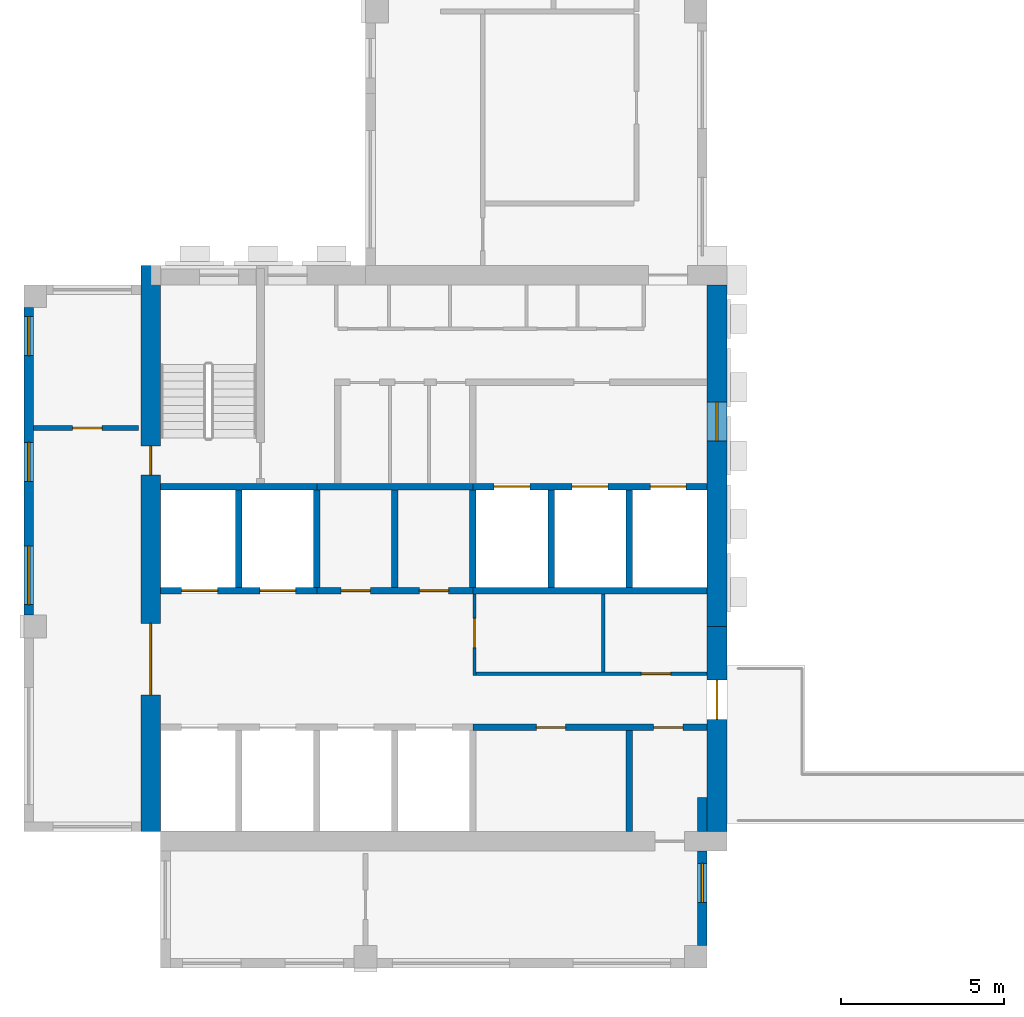
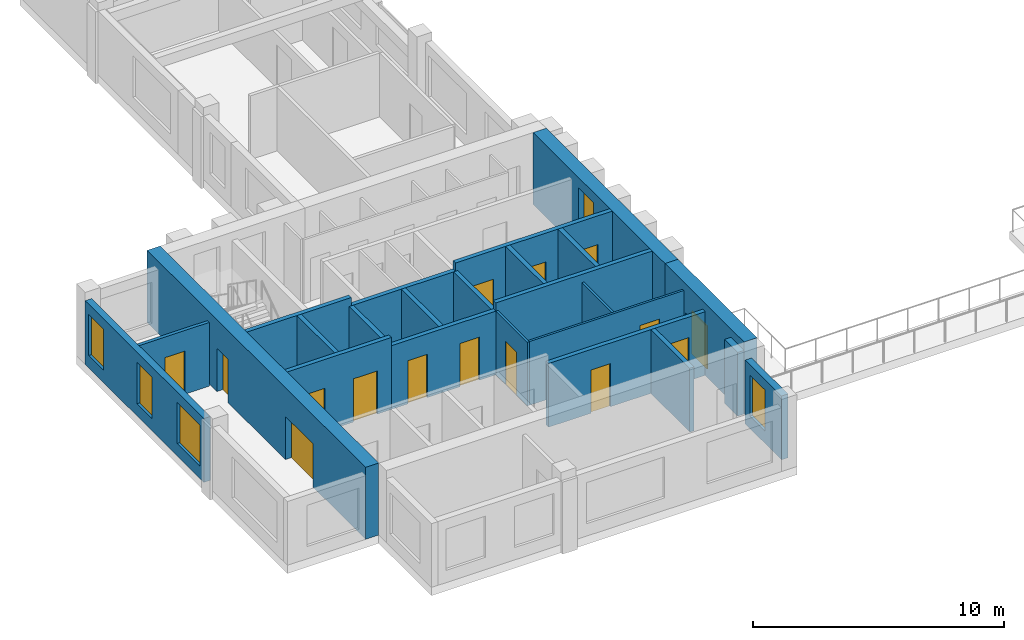
# One storey, part 2 of 9: 24 walls, 15 doors, 5 windows, 20 openings.
"""IFC4 building model written with IfcOpenShell, lengths in metres."""

from ifc_helpers import new_model, si_unit, direction, frame, frame_2d, origin, place, context, subcontext, project, spatial, rectangle, extrude, source, transform, mapped, material, layer, layer_set, type_object, element, fill, save


model = new_model("IFC4")

# Units and contexts
model_context = context("Model", 3, precision=1e-05, world=origin(), true_north=direction((0.0, 1.0)))
body_context = subcontext(model_context, "Body", "Model", "MODEL_VIEW")
ifc_project = project(units=[si_unit("LENGTHUNIT", "METRE"), si_unit("AREAUNIT", "SQUARE_METRE"), si_unit("VOLUMEUNIT", "CUBIC_METRE"), si_unit("PLANEANGLEUNIT", "RADIAN"), si_unit("MASSUNIT", "GRAM", prefix="KILO")], contexts=[model_context])

# Site, building, storey
site_placement = place(None, origin())
site = spatial("IfcSite", under=ifc_project, at=site_placement, CompositionType="ELEMENT")
building_placement = place(site_placement, origin())
building = spatial("IfcBuilding", under=site, at=building_placement, Name="Aurelian Terraces", CompositionType="ELEMENT")
storey_placement = place(building_placement, frame((0.0, 0.0, 295.0)))
storey = spatial("IfcBuildingStorey", under=building, at=storey_placement, Name="L67", CompositionType="ELEMENT", Elevation=295.0)

# Wall, opening, door
ifc_material_1 = material(Name="Gypsum board on steel studs", Category="steel")
ifc_layer_1 = layer(ifc_material_1, 0.1)
ifc_layer_set_1 = layer_set([ifc_layer_1], Name="Core partition 100")
wall_type_1 = type_object("IfcWallType", Name="Core partition 100", PredefinedType="PARTITIONING", material=ifc_layer_set_1)
wall_1_placement = place(storey_placement, frame((13.8, 9.05, 0.0), z_axis=(0.0, 0.0, 1.0), x_axis=(1.0, 0.0, 0.0)))
wall_1 = element("IfcWall", 1, at=wall_1_placement, inside=storey, type_object=wall_type_1, Name="L67 core wall SV-ES", PredefinedType="PARTITIONING", context=body_context, shape_type="SweptSolid", body=[
    extrude(rectangle(XDim=7.2, YDim=0.1, at=frame_2d((3.6, 0.0))), origin(), (0.0, 0.0, 1.0), 3.1),
])
shared_shape_1 = source(origin(), body_context, "Body", "SweptSolid", [
    extrude(rectangle(XDim=0.9, YDim=2.1, at=frame_2d((0.45, 1.05))), frame((0.0, 0.06, 0.0), z_axis=(0.0, -1.0, 0.0), x_axis=(1.0, 0.0, 0.0)), (0.0, 0.0, 1.0), 0.12),
])
opening_1_placement = place(wall_1_placement, frame((5.1775, 0.0, 0.0)))
opening_1 = element("IfcOpeningElement", 2, at=opening_1_placement, cuts=wall_1, Name="Opening 67023", PredefinedType="OPENING", context=body_context, shape_type="MappedRepresentation", body=[
    mapped(shared_shape_1, transform((0.0, 0.0, 0.0), scale=1.0)),
])
ifc_material_2 = material(Name="Steel door leaf", Category="steel")
door_type_1 = type_object("IfcDoorType", Name="Core service door 900x2100 right", OperationType="SINGLE_SWING_RIGHT", PredefinedType="DOOR", material=ifc_material_2)
shared_shape_2 = source(origin(), body_context, "Body", "SweptSolid", [
    extrude(rectangle(XDim=0.9, YDim=2.1, at=frame_2d((0.45, 1.05))), frame((0.0, 0.025, 0.0), z_axis=(0.0, -1.0, 0.0), x_axis=(1.0, 0.0, 0.0)), (0.0, 0.0, 1.0), 0.05),
])
door_1_placement = place(opening_1_placement, origin())
door_1 = element("IfcDoor", 3, at=door_1_placement, inside=storey, type_object=door_type_1, Name="Room door 67023", OperationType="SINGLE_SWING_RIGHT", OverallHeight=2.1, OverallWidth=0.9, PredefinedType="DOOR", context=body_context, shape_type="MappedRepresentation", body=[
    mapped(shared_shape_2, transform((0.0, 0.0, 0.0), scale=1.0)),
])
fill(opening_1, door_1)

# Wall, openings, doors
ifc_material_3 = material(Name="Concrete fc' 55 MPa", Category="concrete")
ifc_layer_2 = layer(ifc_material_3, 0.6)
ifc_layer_set_2 = layer_set([ifc_layer_2], Name="CORE WALL 600 FC55")
wall_type_2 = type_object("IfcWallType", Name="CORE WALL 600 FC55", PredefinedType="SHEAR", material=ifc_layer_set_2)
shared_shape_3 = source(origin(), body_context, "Body", "SweptSolid", [
    extrude(rectangle(XDim=17.4, YDim=0.6, at=frame_2d((8.7, 0.0))), origin(), (0.0, 0.0, 1.0), 3.5),
])
wall_2_placement = place(storey_placement, frame((3.9, 4.2, 0.0), z_axis=(0.0, 0.0, 1.0), x_axis=(0.0, 1.0, 0.0)))
wall_2 = element("IfcWall", 4, at=wall_2_placement, inside=storey, type_object=wall_type_2, Name="Core wall W L67", PredefinedType="SHEAR", context=body_context, shape_type="MappedRepresentation", body=[
    mapped(shared_shape_3, transform((0.0, 0.0, 0.0), scale=1.0)),
])
shared_shape_4 = source(origin(), body_context, "Body", "SweptSolid", [
    extrude(rectangle(XDim=2.2, YDim=2.1, at=frame_2d((1.1, 1.05))), frame((0.0, 0.31, 0.0), z_axis=(0.0, -1.0, 0.0), x_axis=(1.0, 0.0, 0.0)), (0.0, 0.0, 1.0), 0.62),
])
opening_2_placement = place(wall_2_placement, frame((4.2, 0.0, 0.0)))
opening_2 = element("IfcOpeningElement", 5, at=opening_2_placement, cuts=wall_2, Name="Opening 67031", PredefinedType="OPENING", context=body_context, shape_type="MappedRepresentation", body=[
    mapped(shared_shape_4, transform((0.0, 0.0, 0.0), scale=1.0)),
])
shared_shape_5 = source(origin(), body_context, "Body", "SweptSolid", [
    extrude(rectangle(XDim=0.9, YDim=2.1, at=frame_2d((0.45, 1.05))), frame((0.0, 0.31, 0.0), z_axis=(0.0, -1.0, 0.0), x_axis=(1.0, 0.0, 0.0)), (0.0, 0.0, 1.0), 0.62),
])
opening_3_placement = place(wall_2_placement, frame((10.95, 0.0, 0.0)))
opening_3 = element("IfcOpeningElement", 6, at=opening_3_placement, cuts=wall_2, Name="Opening 67035", PredefinedType="OPENING", context=body_context, shape_type="MappedRepresentation", body=[
    mapped(shared_shape_5, transform((0.0, 0.0, 0.0), scale=1.0)),
])
door_type_2 = type_object("IfcDoorType", Name="Core service door 900x2100", OperationType="SINGLE_SWING_LEFT", PredefinedType="DOOR", material=ifc_material_2)
door_2_placement = place(opening_3_placement, origin())
door_2 = element("IfcDoor", 7, at=door_2_placement, inside=storey, type_object=door_type_2, Name="Core door 67035", OperationType="SINGLE_SWING_LEFT", OverallHeight=2.1, OverallWidth=0.9, PredefinedType="DOOR", context=body_context, shape_type="MappedRepresentation", body=[
    mapped(shared_shape_2, transform((0.0, 0.0, 0.0), scale=1.0)),
])
fill(opening_3, door_2)
door_type_3 = type_object("IfcDoorType", Name="Core double door 2200x2100", OperationType="DOUBLE_DOOR_SINGLE_SWING", PredefinedType="DOOR", material=ifc_material_2)
shared_shape_6 = source(origin(), body_context, "Body", "SweptSolid", [
    extrude(rectangle(XDim=2.2, YDim=2.1, at=frame_2d((1.1, 1.05))), frame((0.0, 0.025, 0.0), z_axis=(0.0, -1.0, 0.0), x_axis=(1.0, 0.0, 0.0)), (0.0, 0.0, 1.0), 0.05),
])
door_3_placement = place(opening_2_placement, origin())
door_3 = element("IfcDoor", 8, at=door_3_placement, inside=storey, type_object=door_type_3, Name="Core door 67031", OperationType="DOUBLE_DOOR_SINGLE_SWING", OverallHeight=2.1, OverallWidth=2.2, PredefinedType="DOOR", context=body_context, shape_type="MappedRepresentation", body=[
    mapped(shared_shape_6, transform((0.0, 0.0, 0.0), scale=1.0)),
])
fill(opening_2, door_3)

# Wall, opening, door
shared_shape_7 = source(origin(), body_context, "Body", "SweptSolid", [
    extrude(rectangle(XDim=6.3, YDim=0.6, at=frame_2d((3.15, 0.0))), origin(), (0.0, 0.0, 1.0), 3.5),
])
wall_3_placement = place(storey_placement, frame((21.3, 4.2, 0.0), z_axis=(0.0, 0.0, 1.0), x_axis=(0.0, 1.0, 0.0)))
wall_3 = element("IfcWall", 9, at=wall_3_placement, inside=storey, type_object=wall_type_2, Name="Core wall E L67", PredefinedType="SHEAR", context=body_context, shape_type="MappedRepresentation", body=[
    mapped(shared_shape_7, transform((0.0, 0.0, 0.0), scale=1.0)),
])
shared_shape_8 = source(origin(), body_context, "Body", "SweptSolid", [
    extrude(rectangle(XDim=1.2, YDim=2.1, at=frame_2d((0.6, 1.05))), frame((0.0, 0.31, 0.0), z_axis=(0.0, -1.0, 0.0), x_axis=(1.0, 0.0, 0.0)), (0.0, 0.0, 1.0), 0.62),
])
opening_4_placement = place(wall_3_placement, frame((3.45, 0.0, 0.0)))
opening_4 = element("IfcOpeningElement", 10, at=opening_4_placement, cuts=wall_3, Name="Opening 67033", PredefinedType="OPENING", context=body_context, shape_type="MappedRepresentation", body=[
    mapped(shared_shape_8, transform((0.0, 0.0, 0.0), scale=1.0)),
])
door_type_4 = type_object("IfcDoorType", Name="Core fire door 1200x2100", OperationType="SINGLE_SWING_LEFT", PredefinedType="DOOR", material=ifc_material_2)
shared_shape_9 = source(origin(), body_context, "Body", "SweptSolid", [
    extrude(rectangle(XDim=1.2, YDim=2.1, at=frame_2d((0.6, 1.05))), frame((0.0, 0.025, 0.0), z_axis=(0.0, -1.0, 0.0), x_axis=(1.0, 0.0, 0.0)), (0.0, 0.0, 1.0), 0.05),
])
door_4_placement = place(opening_4_placement, origin())
door_4 = element("IfcDoor", 11, at=door_4_placement, inside=storey, type_object=door_type_4, Name="Core door 67033", OperationType="SINGLE_SWING_LEFT", OverallHeight=2.1, OverallWidth=1.2, PredefinedType="DOOR", context=body_context, shape_type="MappedRepresentation", body=[
    mapped(shared_shape_9, transform((0.0, 0.0, 0.0), scale=1.0)),
])
fill(opening_4, door_4)

# Wall, opening, window
shared_shape_10 = source(origin(), body_context, "Body", "SweptSolid", [
    extrude(rectangle(XDim=10.5, YDim=0.6, at=frame_2d((5.25, 0.0))), origin(), (0.0, 0.0, 1.0), 3.5),
])
wall_4_placement = place(storey_placement, frame((21.3, 10.5, 0.0), z_axis=(0.0, 0.0, 1.0), x_axis=(0.0, 1.0, 0.0)))
wall_4 = element("IfcWall", 12, at=wall_4_placement, inside=storey, type_object=wall_type_2, Name="Core wall E L67 exposed", PredefinedType="SHEAR", context=body_context, shape_type="MappedRepresentation", body=[
    mapped(shared_shape_10, transform((0.0, 0.0, 0.0), scale=1.0)),
])
shared_shape_11 = source(origin(), body_context, "Body", "SweptSolid", [
    extrude(rectangle(XDim=1.2, YDim=2.4, at=frame_2d((0.6, 1.2))), frame((0.0, 0.31, 0.0), z_axis=(0.0, -1.0, 0.0), x_axis=(1.0, 0.0, 0.0)), (0.0, 0.0, 1.0), 0.62),
])
opening_5_placement = place(wall_4_placement, frame((5.7, 0.0, 0.6)))
opening_5 = element("IfcOpeningElement", 13, at=opening_5_placement, cuts=wall_4, Name="Opening W-CL", PredefinedType="OPENING", context=body_context, shape_type="MappedRepresentation", body=[
    mapped(shared_shape_11, transform((0.0, 0.0, 0.0), scale=1.0)),
])
ifc_material_4 = material(Name="Fire-resisting glazing", Category="glass")
window_type_1 = type_object("IfcWindowType", Name="Core lobby window 1200x2400", PartitioningType="SINGLE_PANEL", PredefinedType="WINDOW", material=ifc_material_4)
shared_shape_12 = source(origin(), body_context, "Body", "SweptSolid", [
    extrude(rectangle(XDim=1.2, YDim=2.4, at=frame_2d((0.6, 1.2))), frame((0.0, 0.03, 0.0), z_axis=(0.0, -1.0, 0.0), x_axis=(1.0, 0.0, 0.0)), (0.0, 0.0, 1.0), 0.06),
])
window_1_placement = place(opening_5_placement, origin())
window_1 = element("IfcWindow", 14, at=window_1_placement, inside=storey, type_object=window_type_1, Name="Lobby window L67 E10", OverallHeight=2.4, OverallWidth=1.2, PartitioningType="SINGLE_PANEL", PredefinedType="WINDOW", context=body_context, shape_type="MappedRepresentation", body=[
    mapped(shared_shape_12, transform((0.0, 0.0, 0.0), scale=1.0)),
])
fill(opening_5, window_1)

ifc_material_5 = material(Name="Terracotta rainscreen cladding", Category="masonry")
ifc_layer_3 = layer(ifc_material_5, 0.3)
ifc_layer_set_3 = layer_set([ifc_layer_3], Name="EW-300")
wall_type_3 = type_object("IfcWallType", Name="EW-300", PredefinedType="STANDARD", material=ifc_layer_set_3)
shared_shape_13 = source(origin(), body_context, "Body", "SweptSolid", [
    extrude(rectangle(XDim=2.9, YDim=0.3, at=frame_2d((1.45, 0.0))), origin(), (0.0, 0.0, 1.0), 3.1),
])
wall_5_placement = place(storey_placement, frame((20.85, 0.7, 0.0), z_axis=(0.0, 0.0, 1.0), x_axis=(0.0, 1.0, 0.0)))
wall_5 = element("IfcWall", 15, at=wall_5_placement, inside=storey, type_object=wall_type_3, Name="External wall L67 F02.3", PredefinedType="STANDARD", context=body_context, shape_type="MappedRepresentation", body=[
    mapped(shared_shape_13, transform((0.0, 0.0, 0.0), scale=1.0)),
])
shared_shape_14 = source(origin(), body_context, "Body", "SweptSolid", [
    extrude(rectangle(XDim=1.2, YDim=2.0, at=frame_2d((0.6, 1.0))), frame((0.0, 0.16, 0.0), z_axis=(0.0, -1.0, 0.0), x_axis=(1.0, 0.0, 0.0)), (0.0, 0.0, 1.0), 0.32),
])
opening_6_placement = place(wall_5_placement, frame((1.325, 0.0, 0.6)))
opening_6 = element("IfcOpeningElement", 16, at=opening_6_placement, cuts=wall_5, Name="Opening W1220", PredefinedType="OPENING", context=body_context, shape_type="MappedRepresentation", body=[
    mapped(shared_shape_14, transform((0.0, 0.0, 0.0), scale=1.0)),
])
ifc_material_6 = material(Name="Clear glazing", Category="glass")
window_type_2 = type_object("IfcWindowType", Name="W-1200x2000", PartitioningType="SINGLE_PANEL", PredefinedType="WINDOW", material=ifc_material_6)
shared_shape_15 = source(origin(), body_context, "Body", "SweptSolid", [
    extrude(rectangle(XDim=1.2, YDim=2.0, at=frame_2d((0.6, 1.0))), frame((0.0, 0.03, 0.0), z_axis=(0.0, -1.0, 0.0), x_axis=(1.0, 0.0, 0.0)), (0.0, 0.0, 1.0), 0.06),
])
window_2_placement = place(opening_6_placement, origin())
window_2 = element("IfcWindow", 17, at=window_2_placement, inside=storey, type_object=window_type_2, Name="Window L67 L67-F02-03-0", OverallHeight=2.0, OverallWidth=1.2, PartitioningType="SINGLE_PANEL", PredefinedType="WINDOW", context=body_context, shape_type="MappedRepresentation", body=[
    mapped(shared_shape_15, transform((0.0, 0.0, 0.0), scale=1.0)),
])
fill(opening_6, window_2)

# Wall, openings, windows
shared_shape_16 = source(origin(), body_context, "Body", "SweptSolid", [
    extrude(rectangle(XDim=9.45, YDim=0.3, at=frame_2d((4.725, 0.0))), origin(), (0.0, 0.0, 1.0), 3.1),
])
wall_6_placement = place(storey_placement, frame((0.15, 20.3, 0.0), z_axis=(0.0, 0.0, 1.0), x_axis=(0.0, -1.0, 0.0)))
wall_6 = element("IfcWall", 18, at=wall_6_placement, inside=storey, type_object=wall_type_3, Name="External wall L67 F10.18", PredefinedType="STANDARD", context=body_context, shape_type="MappedRepresentation", body=[
    mapped(shared_shape_16, transform((0.0, 0.0, 0.0), scale=1.0)),
])
opening_7_placement = place(wall_6_placement, frame((0.275, 0.0, 0.6)))
opening_7 = element("IfcOpeningElement", 19, at=opening_7_placement, cuts=wall_6, Name="Opening W1220", PredefinedType="OPENING", context=body_context, shape_type="MappedRepresentation", body=[
    mapped(shared_shape_14, transform((0.0, 0.0, 0.0), scale=1.0)),
])
shared_shape_17 = source(origin(), body_context, "Body", "SweptSolid", [
    extrude(rectangle(XDim=1.8, YDim=2.0, at=frame_2d((0.9, 1.0))), frame((0.0, 0.16, 0.0), z_axis=(0.0, -1.0, 0.0), x_axis=(1.0, 0.0, 0.0)), (0.0, 0.0, 1.0), 0.32),
])
opening_8_placement = place(wall_6_placement, frame((7.325, 0.0, 0.6)))
opening_8 = element("IfcOpeningElement", 20, at=opening_8_placement, cuts=wall_6, Name="Opening W1820", PredefinedType="OPENING", context=body_context, shape_type="MappedRepresentation", body=[
    mapped(shared_shape_17, transform((0.0, 0.0, 0.0), scale=1.0)),
])
opening_9_placement = place(wall_6_placement, frame((4.1375, 0.0, 0.6)))
opening_9 = element("IfcOpeningElement", 21, at=opening_9_placement, cuts=wall_6, Name="Opening W1220", PredefinedType="OPENING", context=body_context, shape_type="MappedRepresentation", body=[
    mapped(shared_shape_14, transform((0.0, 0.0, 0.0), scale=1.0)),
])
window_3_placement = place(opening_7_placement, origin())
window_3 = element("IfcWindow", 22, at=window_3_placement, inside=storey, type_object=window_type_2, Name="Window L67 L67-F10-18-0", OverallHeight=2.0, OverallWidth=1.2, PartitioningType="SINGLE_PANEL", PredefinedType="WINDOW", context=body_context, shape_type="MappedRepresentation", body=[
    mapped(shared_shape_15, transform((0.0, 0.0, 0.0), scale=1.0)),
])
fill(opening_7, window_3)
window_4_placement = place(opening_9_placement, origin())
window_4 = element("IfcWindow", 23, at=window_4_placement, inside=storey, type_object=window_type_2, Name="Window L67 L67-F10-18-G0-22", OverallHeight=2.0, OverallWidth=1.2, PartitioningType="SINGLE_PANEL", PredefinedType="WINDOW", context=body_context, shape_type="MappedRepresentation", body=[
    mapped(shared_shape_15, transform((0.0, 0.0, 0.0), scale=1.0)),
])
fill(opening_9, window_4)
window_type_3 = type_object("IfcWindowType", Name="W-1800x2000", PartitioningType="SINGLE_PANEL", PredefinedType="WINDOW", material=ifc_material_6)
shared_shape_18 = source(origin(), body_context, "Body", "SweptSolid", [
    extrude(rectangle(XDim=1.8, YDim=2.0, at=frame_2d((0.9, 1.0))), frame((0.0, 0.03, 0.0), z_axis=(0.0, -1.0, 0.0), x_axis=(1.0, 0.0, 0.0)), (0.0, 0.0, 1.0), 0.06),
])
window_5_placement = place(opening_8_placement, origin())
window_5 = element("IfcWindow", 24, at=window_5_placement, inside=storey, type_object=window_type_3, Name="Window L67 L67-F10-18-2", OverallHeight=2.0, OverallWidth=1.8, PartitioningType="SINGLE_PANEL", PredefinedType="WINDOW", context=body_context, shape_type="MappedRepresentation", body=[
    mapped(shared_shape_18, transform((0.0, 0.0, 0.0), scale=1.0)),
])
fill(opening_8, window_5)

# Walls
shared_shape_19 = source(origin(), body_context, "Body", "SweptSolid", [
    extrude(rectangle(XDim=1.05, YDim=0.3, at=frame_2d((0.525, 0.0))), origin(), (0.0, 0.0, 1.0), 3.1),
])
wall_7_placement = place(storey_placement, frame((20.85, 4.2, 0.0), z_axis=(0.0, 0.0, 1.0), x_axis=(0.0, 1.0, 0.0)))
element("IfcWall", 25, at=wall_7_placement, inside=storey, type_object=wall_type_3, Name="External wall L67 F02.3", PredefinedType="STANDARD", context=body_context, shape_type="MappedRepresentation", body=[
    mapped(shared_shape_19, transform((0.0, 0.0, 0.0), scale=1.0)),
])
ifc_material_7 = material(Name="Concrete fc' 40 MPa", Category="concrete")
ifc_layer_4 = layer(ifc_material_7, 0.2)
ifc_layer_set_4 = layer_set([ifc_layer_4], Name="Lift shaft wall 200")
wall_type_4 = type_object("IfcWallType", Name="Lift shaft wall 200", PredefinedType="SOLIDWALL", material=ifc_layer_set_4)
shared_shape_20 = source(origin(), body_context, "Body", "SweptSolid", [
    extrude(rectangle(XDim=3.0, YDim=0.2, at=frame_2d((1.5, 0.0))), origin(), (0.0, 0.0, 1.0), 3.1),
])
for number, where, z_axis, x_axis, name in (
    (26, (9.0, 11.7, 0.0), (0.0, 0.0, 1.0), (0.0, 1.0, 0.0), "L67 core wall CD-B2"),
    (27, (13.8, 11.7, 0.0), (0.0, 0.0, 1.0), (0.0, 1.0, 0.0), "L67 core wall CD-B4"),
):
    element("IfcWall", number, at=place(storey_placement, frame(where, z_axis=z_axis, x_axis=x_axis)), inside=storey, type_object=wall_type_4, Name=name, PredefinedType="SOLIDWALL", context=body_context, shape_type="MappedRepresentation", body=[
        mapped(shared_shape_20, transform((0.0, 0.0, 0.0), scale=1.0)),
    ])
shared_shape_21 = source(origin(), body_context, "Body", "SweptSolid", [
    extrude(rectangle(XDim=3.0, YDim=0.2, at=frame_2d((1.5, 0.0))), origin(), (0.0, 0.0, 1.0), 3.5),
])
for number, where, z_axis, x_axis, name in (
    (28, (6.6, 11.7, 0.0), (0.0, 0.0, 1.0), (0.0, 1.0, 0.0), "L67 core wall CD-B1"),
    (29, (16.2, 11.7, 0.0), (0.0, 0.0, 1.0), (0.0, 1.0, 0.0), "L67 core wall CD-B5"),
    (30, (18.6, 11.7, 0.0), (0.0, 0.0, 1.0), (0.0, 1.0, 0.0), "L67 core wall CD-B6"),
):
    element("IfcWall", number, at=place(storey_placement, frame(where, z_axis=z_axis, x_axis=x_axis)), inside=storey, type_object=wall_type_4, Name=name, PredefinedType="SOLIDWALL", context=body_context, shape_type="MappedRepresentation", body=[
        mapped(shared_shape_21, transform((0.0, 0.0, 0.0), scale=1.0)),
    ])

# Wall, openings, doors
shared_shape_22 = source(origin(), body_context, "Body", "SweptSolid", [
    extrude(rectangle(XDim=4.8, YDim=0.2, at=frame_2d((2.4, 0.0))), origin(), (0.0, 0.0, 1.0), 3.5),
])
wall_8_placement = place(storey_placement, frame((4.2, 11.6, 0.0), z_axis=(0.0, 0.0, 1.0), x_axis=(1.0, 0.0, 0.0)))
wall_8 = element("IfcWall", 31, at=wall_8_placement, inside=storey, type_object=wall_type_4, Name="L67 core wall CF-BF1", PredefinedType="SOLIDWALL", context=body_context, shape_type="MappedRepresentation", body=[
    mapped(shared_shape_22, transform((0.0, 0.0, 0.0), scale=1.0)),
])
shared_shape_23 = source(origin(), body_context, "Body", "SweptSolid", [
    extrude(rectangle(XDim=1.1, YDim=2.1, at=frame_2d((0.55, 1.05))), frame((0.0, 0.11, 0.0), z_axis=(0.0, -1.0, 0.0), x_axis=(1.0, 0.0, 0.0)), (0.0, 0.0, 1.0), 0.22),
])
opening_10_placement = place(wall_8_placement, frame((0.65, 0.0, 0.0)))
opening_10 = element("IfcOpeningElement", 32, at=opening_10_placement, cuts=wall_8, Name="Opening 67006", PredefinedType="OPENING", context=body_context, shape_type="MappedRepresentation", body=[
    mapped(shared_shape_23, transform((0.0, 0.0, 0.0), scale=1.0)),
])
opening_11_placement = place(wall_8_placement, frame((3.05, 0.0, 0.0)))
opening_11 = element("IfcOpeningElement", 33, at=opening_11_placement, cuts=wall_8, Name="Opening 67007", PredefinedType="OPENING", context=body_context, shape_type="MappedRepresentation", body=[
    mapped(shared_shape_23, transform((0.0, 0.0, 0.0), scale=1.0)),
])
ifc_material_8 = material(Name="Stainless steel", Category="steel")
door_type_5 = type_object("IfcDoorType", Name="Lift landing door 1100x2100", OperationType="SLIDING_TO_LEFT", PredefinedType="DOOR", material=ifc_material_8)
shared_shape_24 = source(origin(), body_context, "Body", "SweptSolid", [
    extrude(rectangle(XDim=1.1, YDim=2.1, at=frame_2d((0.55, 1.05))), frame((0.0, 0.025, 0.0), z_axis=(0.0, -1.0, 0.0), x_axis=(1.0, 0.0, 0.0)), (0.0, 0.0, 1.0), 0.05),
])
door_5_placement = place(opening_10_placement, origin())
door_5 = element("IfcDoor", 34, at=door_5_placement, inside=storey, type_object=door_type_5, Name="Lift landing door LH5 L67", OperationType="SLIDING_TO_LEFT", OverallHeight=2.1, OverallWidth=1.1, PredefinedType="DOOR", context=body_context, shape_type="MappedRepresentation", body=[
    mapped(shared_shape_24, transform((0.0, 0.0, 0.0), scale=1.0)),
])
fill(opening_10, door_5)
door_6_placement = place(opening_11_placement, origin())
door_6 = element("IfcDoor", 35, at=door_6_placement, inside=storey, type_object=door_type_5, Name="Lift landing door LH6 L67", OperationType="SLIDING_TO_LEFT", OverallHeight=2.1, OverallWidth=1.1, PredefinedType="DOOR", context=body_context, shape_type="MappedRepresentation", body=[
    mapped(shared_shape_24, transform((0.0, 0.0, 0.0), scale=1.0)),
])
fill(opening_11, door_6)

# Wall
wall_9_placement = place(storey_placement, frame((4.2, 14.8, 0.0), z_axis=(0.0, 0.0, 1.0), x_axis=(1.0, 0.0, 0.0)))
element("IfcWall", 36, at=wall_9_placement, inside=storey, type_object=wall_type_4, Name="L67 core wall CF-BB1", PredefinedType="SOLIDWALL", context=body_context, shape_type="MappedRepresentation", body=[
    mapped(shared_shape_22, transform((0.0, 0.0, 0.0), scale=1.0)),
])

# Wall, openings, doors
shared_shape_25 = source(origin(), body_context, "Body", "SweptSolid", [
    extrude(rectangle(XDim=4.8, YDim=0.2, at=frame_2d((2.4, 0.0))), origin(), (0.0, 0.0, 1.0), 3.1),
])
wall_10_placement = place(storey_placement, frame((9.0, 11.6, 0.0), z_axis=(0.0, 0.0, 1.0), x_axis=(1.0, 0.0, 0.0)))
wall_10 = element("IfcWall", 37, at=wall_10_placement, inside=storey, type_object=wall_type_4, Name="L67 core wall CF-BF2", PredefinedType="SOLIDWALL", context=body_context, shape_type="MappedRepresentation", body=[
    mapped(shared_shape_25, transform((0.0, 0.0, 0.0), scale=1.0)),
])
shared_shape_26 = source(origin(), body_context, "Body", "SweptSolid", [
    extrude(rectangle(XDim=0.9, YDim=2.1, at=frame_2d((0.45, 1.05))), frame((0.0, 0.11, 0.0), z_axis=(0.0, -1.0, 0.0), x_axis=(1.0, 0.0, 0.0)), (0.0, 0.0, 1.0), 0.22),
])
opening_12_placement = place(wall_10_placement, frame((0.75, 0.0, 0.0)))
opening_12 = element("IfcOpeningElement", 38, at=opening_12_placement, cuts=wall_10, Name="Opening 67008", PredefinedType="OPENING", context=body_context, shape_type="MappedRepresentation", body=[
    mapped(shared_shape_26, transform((0.0, 0.0, 0.0), scale=1.0)),
])
opening_13_placement = place(wall_10_placement, frame((3.15, 0.0, 0.0)))
opening_13 = element("IfcOpeningElement", 39, at=opening_13_placement, cuts=wall_10, Name="Opening 67009", PredefinedType="OPENING", context=body_context, shape_type="MappedRepresentation", body=[
    mapped(shared_shape_26, transform((0.0, 0.0, 0.0), scale=1.0)),
])
door_7_placement = place(opening_12_placement, origin())
door_7 = element("IfcDoor", 40, at=door_7_placement, inside=storey, type_object=door_type_2, Name="Room door 67008", OperationType="SINGLE_SWING_LEFT", OverallHeight=2.1, OverallWidth=0.9, PredefinedType="DOOR", context=body_context, shape_type="MappedRepresentation", body=[
    mapped(shared_shape_2, transform((0.0, 0.0, 0.0), scale=1.0)),
])
fill(opening_12, door_7)
door_8_placement = place(opening_13_placement, origin())
door_8 = element("IfcDoor", 41, at=door_8_placement, inside=storey, type_object=door_type_1, Name="Room door 67009", OperationType="SINGLE_SWING_RIGHT", OverallHeight=2.1, OverallWidth=0.9, PredefinedType="DOOR", context=body_context, shape_type="MappedRepresentation", body=[
    mapped(shared_shape_2, transform((0.0, 0.0, 0.0), scale=1.0)),
])
fill(opening_13, door_8)

# Walls
wall_11_placement = place(storey_placement, frame((9.0, 14.8, 0.0), z_axis=(0.0, 0.0, 1.0), x_axis=(1.0, 0.0, 0.0)))
element("IfcWall", 42, at=wall_11_placement, inside=storey, type_object=wall_type_4, Name="L67 core wall CF-BB2", PredefinedType="SOLIDWALL", context=body_context, shape_type="MappedRepresentation", body=[
    mapped(shared_shape_25, transform((0.0, 0.0, 0.0), scale=1.0)),
])
shared_shape_27 = source(origin(), body_context, "Body", "SweptSolid", [
    extrude(rectangle(XDim=7.2, YDim=0.2, at=frame_2d((3.6, 0.0))), origin(), (0.0, 0.0, 1.0), 3.5),
])
wall_12_placement = place(storey_placement, frame((13.8, 11.6, 0.0), z_axis=(0.0, 0.0, 1.0), x_axis=(1.0, 0.0, 0.0)))
element("IfcWall", 43, at=wall_12_placement, inside=storey, type_object=wall_type_4, Name="L67 core wall CF-BF3", PredefinedType="SOLIDWALL", context=body_context, shape_type="MappedRepresentation", body=[
    mapped(shared_shape_27, transform((0.0, 0.0, 0.0), scale=1.0)),
])

# Wall, openings, doors
wall_13_placement = place(storey_placement, frame((13.8, 14.8, 0.0), z_axis=(0.0, 0.0, 1.0), x_axis=(1.0, 0.0, 0.0)))
wall_13 = element("IfcWall", 44, at=wall_13_placement, inside=storey, type_object=wall_type_4, Name="L67 core wall CF-BB3", PredefinedType="SOLIDWALL", context=body_context, shape_type="MappedRepresentation", body=[
    mapped(shared_shape_27, transform((0.0, 0.0, 0.0), scale=1.0)),
])
opening_14_placement = place(wall_13_placement, frame((0.65, 0.0, 0.0)))
opening_14 = element("IfcOpeningElement", 45, at=opening_14_placement, cuts=wall_13, Name="Opening 67010", PredefinedType="OPENING", context=body_context, shape_type="MappedRepresentation", body=[
    mapped(shared_shape_23, transform((0.0, 0.0, 0.0), scale=1.0)),
])
opening_15_placement = place(wall_13_placement, frame((3.05, 0.0, 0.0)))
opening_15 = element("IfcOpeningElement", 46, at=opening_15_placement, cuts=wall_13, Name="Opening 67011", PredefinedType="OPENING", context=body_context, shape_type="MappedRepresentation", body=[
    mapped(shared_shape_23, transform((0.0, 0.0, 0.0), scale=1.0)),
])
opening_16_placement = place(wall_13_placement, frame((5.45, 0.0, 0.0)))
opening_16 = element("IfcOpeningElement", 47, at=opening_16_placement, cuts=wall_13, Name="Opening 67012", PredefinedType="OPENING", context=body_context, shape_type="MappedRepresentation", body=[
    mapped(shared_shape_23, transform((0.0, 0.0, 0.0), scale=1.0)),
])
door_9_placement = place(opening_14_placement, origin())
door_9 = element("IfcDoor", 48, at=door_9_placement, inside=storey, type_object=door_type_5, Name="Lift landing door F1 L67", OperationType="SLIDING_TO_LEFT", OverallHeight=2.1, OverallWidth=1.1, PredefinedType="DOOR", context=body_context, shape_type="MappedRepresentation", body=[
    mapped(shared_shape_24, transform((0.0, 0.0, 0.0), scale=1.0)),
])
fill(opening_14, door_9)
door_10_placement = place(opening_15_placement, origin())
door_10 = element("IfcDoor", 49, at=door_10_placement, inside=storey, type_object=door_type_5, Name="Lift landing door F2 L67", OperationType="SLIDING_TO_LEFT", OverallHeight=2.1, OverallWidth=1.1, PredefinedType="DOOR", context=body_context, shape_type="MappedRepresentation", body=[
    mapped(shared_shape_24, transform((0.0, 0.0, 0.0), scale=1.0)),
])
fill(opening_15, door_10)
door_11_placement = place(opening_16_placement, origin())
door_11 = element("IfcDoor", 50, at=door_11_placement, inside=storey, type_object=door_type_5, Name="Lift landing door F3 L67", OperationType="SLIDING_TO_LEFT", OverallHeight=2.1, OverallWidth=1.1, PredefinedType="DOOR", context=body_context, shape_type="MappedRepresentation", body=[
    mapped(shared_shape_24, transform((0.0, 0.0, 0.0), scale=1.0)),
])
fill(opening_16, door_11)

# Walls
ifc_layer_5 = layer(ifc_material_1, 0.2)
ifc_layer_set_5 = layer_set([ifc_layer_5], Name="Core partition 200")
wall_type_5 = type_object("IfcWallType", Name="Core partition 200", PredefinedType="PARTITIONING", material=ifc_layer_set_5)
shared_shape_28 = source(origin(), body_context, "Body", "SweptSolid", [
    extrude(rectangle(XDim=3.0, YDim=0.2, at=frame_2d((1.5, 0.0))), origin(), (0.0, 0.0, 1.0), 3.1),
])
wall_14_placement = place(storey_placement, frame((11.4, 11.7, 0.0), z_axis=(0.0, 0.0, 1.0), x_axis=(0.0, 1.0, 0.0)))
element("IfcWall", 51, at=wall_14_placement, inside=storey, type_object=wall_type_5, Name="L67 core wall CS-B3", PredefinedType="PARTITIONING", context=body_context, shape_type="MappedRepresentation", body=[
    mapped(shared_shape_28, transform((0.0, 0.0, 0.0), scale=1.0)),
])
shared_shape_29 = source(origin(), body_context, "Body", "SweptSolid", [
    extrude(rectangle(XDim=3.1, YDim=0.2, at=frame_2d((1.55, 0.0))), origin(), (0.0, 0.0, 1.0), 3.1),
])
wall_15_placement = place(storey_placement, frame((18.6, 4.2, 0.0), z_axis=(0.0, 0.0, 1.0), x_axis=(0.0, 1.0, 0.0)))
element("IfcWall", 52, at=wall_15_placement, inside=storey, type_object=wall_type_5, Name="L67 core wall CS-A6", PredefinedType="PARTITIONING", context=body_context, shape_type="MappedRepresentation", body=[
    mapped(shared_shape_29, transform((0.0, 0.0, 0.0), scale=1.0)),
])

# Wall, openings, doors
shared_shape_30 = source(origin(), body_context, "Body", "SweptSolid", [
    extrude(rectangle(XDim=7.2, YDim=0.2, at=frame_2d((3.6, 0.0))), origin(), (0.0, 0.0, 1.0), 3.1),
])
wall_16_placement = place(storey_placement, frame((13.8, 7.4, 0.0), z_axis=(0.0, 0.0, 1.0), x_axis=(1.0, 0.0, 0.0)))
wall_16 = element("IfcWall", 53, at=wall_16_placement, inside=storey, type_object=wall_type_4, Name="L67 core wall CF-AF2", PredefinedType="SOLIDWALL", context=body_context, shape_type="MappedRepresentation", body=[
    mapped(shared_shape_30, transform((0.0, 0.0, 0.0), scale=1.0)),
])
opening_17_placement = place(wall_16_placement, frame((1.95, 0.0, 0.0)))
opening_17 = element("IfcOpeningElement", 54, at=opening_17_placement, cuts=wall_16, Name="Opening 67004", PredefinedType="OPENING", context=body_context, shape_type="MappedRepresentation", body=[
    mapped(shared_shape_26, transform((0.0, 0.0, 0.0), scale=1.0)),
])
opening_18_placement = place(wall_16_placement, frame((5.55, 0.0, 0.0)))
opening_18 = element("IfcOpeningElement", 55, at=opening_18_placement, cuts=wall_16, Name="Opening 67005", PredefinedType="OPENING", context=body_context, shape_type="MappedRepresentation", body=[
    mapped(shared_shape_26, transform((0.0, 0.0, 0.0), scale=1.0)),
])
door_12_placement = place(opening_17_placement, origin())
door_12 = element("IfcDoor", 56, at=door_12_placement, inside=storey, type_object=door_type_2, Name="Room door 67004", OperationType="SINGLE_SWING_LEFT", OverallHeight=2.1, OverallWidth=0.9, PredefinedType="DOOR", context=body_context, shape_type="MappedRepresentation", body=[
    mapped(shared_shape_2, transform((0.0, 0.0, 0.0), scale=1.0)),
])
fill(opening_17, door_12)
door_13_placement = place(opening_18_placement, origin())
door_13 = element("IfcDoor", 57, at=door_13_placement, inside=storey, type_object=door_type_1, Name="Room door 67005", OperationType="SINGLE_SWING_RIGHT", OverallHeight=2.1, OverallWidth=0.9, PredefinedType="DOOR", context=body_context, shape_type="MappedRepresentation", body=[
    mapped(shared_shape_2, transform((0.0, 0.0, 0.0), scale=1.0)),
])
fill(opening_18, door_13)

# Wall, opening, door
shared_shape_31 = source(origin(), body_context, "Body", "SweptSolid", [
    extrude(rectangle(XDim=2.5, YDim=0.1, at=frame_2d((1.25, 0.0))), origin(), (0.0, 0.0, 1.0), 3.1),
])
wall_17_placement = place(storey_placement, frame((13.85, 9.0, 0.0), z_axis=(0.0, 0.0, 1.0), x_axis=(0.0, 1.0, 0.0)))
wall_17 = element("IfcWall", 58, at=wall_17_placement, inside=storey, type_object=wall_type_1, Name="L67 core wall SV-EW", PredefinedType="PARTITIONING", context=body_context, shape_type="MappedRepresentation", body=[
    mapped(shared_shape_31, transform((0.0, 0.0, 0.0), scale=1.0)),
])
opening_19_placement = place(wall_17_placement, frame((0.85, 0.0, 0.0)))
opening_19 = element("IfcOpeningElement", 59, at=opening_19_placement, cuts=wall_17, Name="Opening 67024", PredefinedType="OPENING", context=body_context, shape_type="MappedRepresentation", body=[
    mapped(shared_shape_1, transform((0.0, 0.0, 0.0), scale=1.0)),
])
door_14_placement = place(opening_19_placement, origin())
door_14 = element("IfcDoor", 60, at=door_14_placement, inside=storey, type_object=door_type_2, Name="Room door 67024", OperationType="SINGLE_SWING_LEFT", OverallHeight=2.1, OverallWidth=0.9, PredefinedType="DOOR", context=body_context, shape_type="MappedRepresentation", body=[
    mapped(shared_shape_2, transform((0.0, 0.0, 0.0), scale=1.0)),
])
fill(opening_19, door_14)

# Wall
shared_shape_32 = source(origin(), body_context, "Body", "SweptSolid", [
    extrude(rectangle(XDim=2.4, YDim=0.1, at=frame_2d((1.2, 0.0))), origin(), (0.0, 0.0, 1.0), 3.1),
])
wall_18_placement = place(storey_placement, frame((17.805, 9.1, 0.0), z_axis=(0.0, 0.0, 1.0), x_axis=(0.0, 1.0, 0.0)))
element("IfcWall", 61, at=wall_18_placement, inside=storey, type_object=wall_type_1, Name="L67 core wall SV-EP", PredefinedType="PARTITIONING", context=body_context, shape_type="MappedRepresentation", body=[
    mapped(shared_shape_32, transform((0.0, 0.0, 0.0), scale=1.0)),
])

# Wall, opening, door
ifc_layer_6 = layer(ifc_material_1, 0.15)
ifc_layer_set_6 = layer_set([ifc_layer_6], Name="Partition 150")
wall_type_6 = type_object("IfcWallType", Name="Partition 150", PredefinedType="PARTITIONING", material=ifc_layer_set_6)
shared_shape_33 = source(origin(), body_context, "Body", "SweptSolid", [
    extrude(rectangle(XDim=3.225, YDim=0.15, at=frame_2d((1.6125, 0.0))), origin(), (0.0, 0.0, 1.0), 3.1),
])
wall_19_placement = place(storey_placement, frame((0.3, 16.6, 0.0), z_axis=(0.0, 0.0, 1.0), x_axis=(1.0, 0.0, 0.0)))
wall_19 = element("IfcWall", 62, at=wall_19_placement, inside=storey, type_object=wall_type_6, Name="Partition", PredefinedType="PARTITIONING", context=body_context, shape_type="MappedRepresentation", body=[
    mapped(shared_shape_33, transform((0.0, 0.0, 0.0), scale=1.0)),
])
shared_shape_34 = source(origin(), body_context, "Body", "SweptSolid", [
    extrude(rectangle(XDim=0.9, YDim=2.1, at=frame_2d((0.45, 1.05))), frame((0.0, 0.085, 0.0), z_axis=(0.0, -1.0, 0.0), x_axis=(1.0, 0.0, 0.0)), (0.0, 0.0, 1.0), 0.17),
])
opening_20_placement = place(wall_19_placement, frame((1.2, 0.0, 0.0)))
opening_20 = element("IfcOpeningElement", 63, at=opening_20_placement, cuts=wall_19, Name="Opening 767004", PredefinedType="OPENING", context=body_context, shape_type="MappedRepresentation", body=[
    mapped(shared_shape_34, transform((0.0, 0.0, 0.0), scale=1.0)),
])
ifc_material_9 = material(Name="Timber door leaf", Category="wood")
door_type_6 = type_object("IfcDoorType", Name="Room door 900x2100 left", OperationType="SINGLE_SWING_LEFT", PredefinedType="DOOR", material=ifc_material_9)
door_15_placement = place(opening_20_placement, origin())
door_15 = element("IfcDoor", 64, at=door_15_placement, inside=storey, type_object=door_type_6, Name="Door 767004", OperationType="SINGLE_SWING_LEFT", OverallHeight=2.1, OverallWidth=0.9, PredefinedType="DOOR", context=body_context, shape_type="MappedRepresentation", body=[
    mapped(shared_shape_2, transform((0.0, 0.0, 0.0), scale=1.0)),
])
fill(opening_20, door_15)

save(model, "model.ifc")
